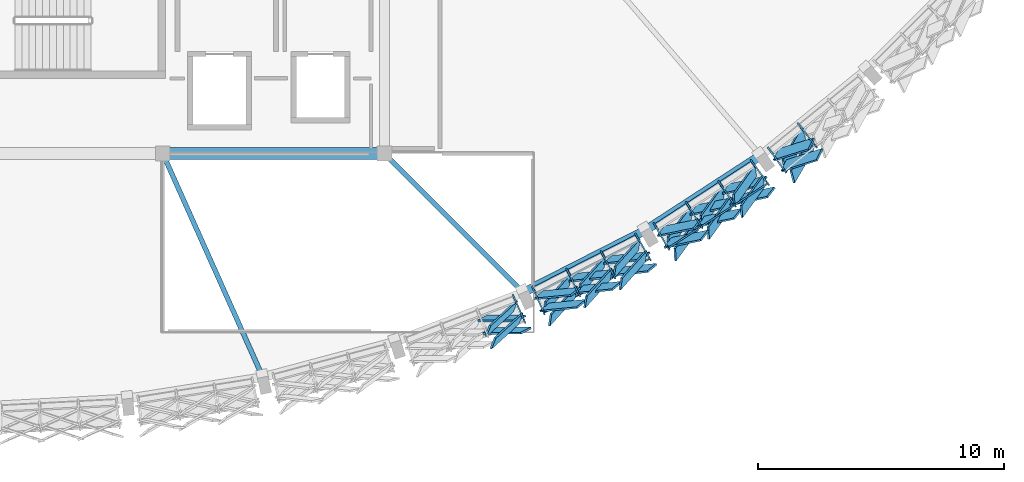
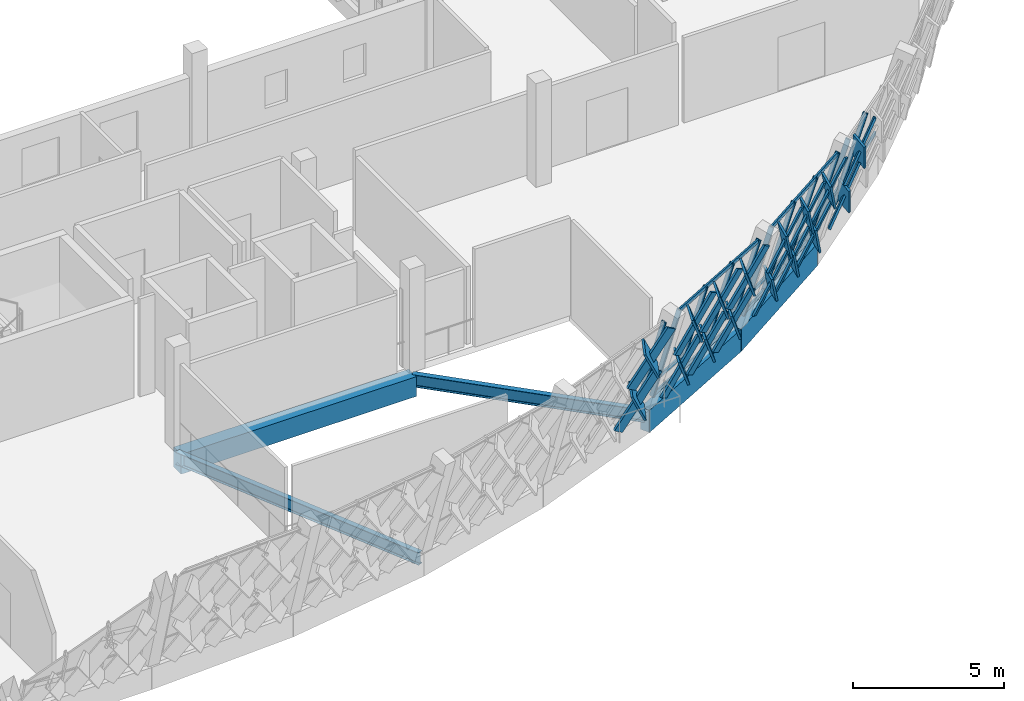
# One storey, part 48 of 107: 50 members, 5 beams, 4 elements without a shape of their own.
"""IFC4 building model written with IfcOpenShell, lengths in metres."""

import ifcopenshell
import ifcopenshell.guid

model = None  # the IFC model being written
_history = None  # IfcOwnerHistory: only IFC2X3 demands one
_inside = {}  # id of a spatial element -> (the spatial element, [elements in it])
_under = {}  # id of a project, library or spatial element -> (it, [spatial elements below it])
_declared = {}  # id of a project -> (the project, [libraries it declares])
_typed = {}  # id of a type object -> (the type object, [elements of that type])
_made_of = {}  # id of a material, layer set ... -> (it, [elements and type objects made of it])


def new_model(schema):
    """Start an empty IFC model of exactly this schema.

    Asked for "IFC4X3", IfcOpenShell would pick the latest addendum, in which some entities
    have other attributes; the version numbers below select the first issue.
    IFC2X3 requires an IfcOwnerHistory on every rooted entity: one is made here for all.
    """
    global model, _history
    if schema == "IFC4X3":
        model = ifcopenshell.file(schema_version=(4, 3, 0, 0))
    else:
        model = ifcopenshell.file(schema=schema)
    _inside.clear()
    _under.clear()
    _declared.clear()
    _typed.clear()
    _made_of.clear()
    _history = None
    if model.schema == "IFC2X3":
        org = make("IfcOrganization", Name="unknown")
        user = make(
            "IfcPersonAndOrganization",
            ThePerson=make("IfcPerson", FamilyName="unknown"),
            TheOrganization=org,
        )
        app = make(
            "IfcApplication",
            ApplicationDeveloper=org,
            Version="unknown",
            ApplicationFullName="unknown",
            ApplicationIdentifier="unknown",
        )
        _history = make(
            "IfcOwnerHistory",
            OwningUser=user,
            OwningApplication=app,
            ChangeAction="ADDED",
            CreationDate=0,
        )
    return model


def make(cls, **values):
    """One entity of the class cls with the attributes given. An attribute that is None is left unset."""
    return model.create_entity(
        cls, **{name: value for name, value in values.items() if value is not None}
    )


def rooted(cls, **values):
    """An entity with a GlobalId (a new one), such as an element, a storey or a relation."""
    return make(cls, GlobalId=ifcopenshell.guid.new(), OwnerHistory=_history, **values)


def si_unit(unit_type, name, prefix=None):
    """IfcSIUnit, for example si_unit("LENGTHUNIT", "METRE", prefix="MILLI")."""
    return make("IfcSIUnit", UnitType=unit_type, Prefix=prefix, Name=name)


def assignment(units):
    """IfcUnitAssignment: the units of a project."""
    return None if units is None else make("IfcUnitAssignment", Units=units)


def point(xyz):
    """IfcCartesianPoint."""
    return None if xyz is None else make("IfcCartesianPoint", Coordinates=xyz)


def direction(xyz):
    """IfcDirection."""
    return None if xyz is None else make("IfcDirection", DirectionRatios=xyz)


def frame(location, z_axis=None, x_axis=None):
    """IfcAxis2Placement3D, a coordinate frame: its origin and axes. An axis left out is left unset."""
    return make(
        "IfcAxis2Placement3D",
        Location=point(location),
        Axis=direction(z_axis),
        RefDirection=direction(x_axis),
    )


def frame_2d(location, x_axis=None):
    """IfcAxis2Placement2D, a coordinate frame in the plane: its origin and x axis."""
    return make(
        "IfcAxis2Placement2D", Location=point(location), RefDirection=direction(x_axis)
    )


def origin():
    """The frame at (0, 0, 0) with its axes left unset."""
    return frame((0.0, 0.0, 0.0))


def origin_2d():
    """The frame at (0, 0) in the plane with its x axis left unset."""
    return frame_2d((0.0, 0.0))


def place(relative_to, where):
    """IfcLocalPlacement: puts the frame where relative to a parent placement (None: the world)."""
    return make(
        "IfcLocalPlacement", PlacementRelTo=relative_to, RelativePlacement=where
    )


def context(
    kind, dimensions, precision=None, world=None, true_north=None, identifier=None
):
    """IfcGeometricRepresentationContext, for example the 3D "Model" context."""
    return make(
        "IfcGeometricRepresentationContext",
        ContextIdentifier=identifier,
        ContextType=kind,
        CoordinateSpaceDimension=dimensions,
        Precision=precision,
        WorldCoordinateSystem=world,
        TrueNorth=true_north,
    )


def subcontext(parent, identifier, kind, view, scale=None):
    """IfcGeometricRepresentationSubContext, for example "Body" below "Model"."""
    return make(
        "IfcGeometricRepresentationSubContext",
        ContextIdentifier=identifier,
        ContextType=kind,
        ParentContext=parent,
        TargetScale=scale,
        TargetView=view,
    )


def project(units=None, contexts=None):
    """IfcProject with its units and contexts."""
    return rooted(
        "IfcProject",
        Name="project",
        RepresentationContexts=contexts,
        UnitsInContext=assignment(units),
    )


def spatial(cls, under=None, at=None, **own):
    """A site, building, storey or space (cls), placed at a placement, below another one or the project."""
    s = rooted(cls, ObjectPlacement=at, **own)
    if under is not None:
        _under.setdefault(under.id(), (under, []))[1].append(s)
    return s


def profile(cls, at=None, kind="AREA", **sizes):
    """A parametric profile (cls). Its sizes go by their IFC names, for example OverallWidth=200.0."""
    return make(cls, ProfileType=kind, Position=at, **sizes)


def rectangle(**sizes):
    """IfcRectangleProfileDef."""
    return profile("IfcRectangleProfileDef", **sizes)


def hollow_rectangle(**sizes):
    """IfcRectangleHollowProfileDef."""
    return profile("IfcRectangleHollowProfileDef", **sizes)


def i_section(**sizes):
    """IfcIShapeProfileDef."""
    return profile("IfcIShapeProfileDef", **sizes)


def extrude(swept, where, along, depth):
    """IfcExtrudedAreaSolid: the profile swept, set in the frame where, extruded along a direction by depth."""
    return make(
        "IfcExtrudedAreaSolid",
        SweptArea=swept,
        Position=where,
        ExtrudedDirection=direction(along),
        Depth=depth,
    )


def shape(context_of_items, identifier, shape_type, items):
    """IfcShapeRepresentation: the items that make up one representation, for example the "Body"."""
    return make(
        "IfcShapeRepresentation",
        ContextOfItems=context_of_items,
        RepresentationIdentifier=identifier,
        RepresentationType=shape_type,
        Items=items,
    )


def material(Name=None, Category=None):
    """IfcMaterial."""
    return make("IfcMaterial", Name=Name, Category=Category)


def material_profile(
    of_material, cross_section, Name=None, Category=None, Priority=None
):
    """IfcMaterialProfile: a cross section and its material."""
    return make(
        "IfcMaterialProfile",
        Name=Name,
        Material=of_material,
        Profile=cross_section,
        Priority=Priority,
        Category=Category,
    )


def profile_set(profiles, Name=None, composite=None):
    """IfcMaterialProfileSet."""
    return make(
        "IfcMaterialProfileSet",
        Name=Name,
        MaterialProfiles=profiles,
        CompositeProfile=composite,
    )


def made_of(thing, what):
    """Note that an element or type object is made of a material, layer set ...; save() writes the relation."""
    if what is not None:
        _made_of.setdefault(what.id(), (what, []))[1].append(thing)
    return thing


def type_object(cls, material=None, **own):
    """A type object (cls), such as IfcWallType, which elements share."""
    return made_of(rooted(cls, **own), material)


def element(
    cls,
    number,
    at=None,
    inside=None,
    cuts=None,
    type_object=None,
    material=None,
    context=None,
    identifier="Body",
    shape_type=None,
    held_by="IfcProductDefinitionShape",
    body=None,
    shapes=None,
    **own,
):
    """One element of the class cls, such as IfcWall. Its Tag is "e" and its number.

    at: its placement. inside: the storey or other place that contains it. cuts: it is an
    opening in that element (IfcRelVoidsElement). A single representation is given by context,
    identifier, shape_type and body (its items); several are given by shapes. held_by: the class
    of the entity that holds the representations. save() writes the other relations.
    """
    e = rooted(cls, Tag="e%d" % number, ObjectPlacement=at, **own)
    if body is not None:
        shapes = [shape(context, identifier, shape_type, body)]
    if shapes is not None:
        e.Representation = make(held_by, Representations=shapes)
    if inside is not None:
        _inside.setdefault(inside.id(), (inside, []))[1].append(e)
    if cuts is not None:
        rooted(
            "IfcRelVoidsElement", RelatingBuildingElement=cuts, RelatedOpeningElement=e
        )
    if type_object is not None:
        _typed.setdefault(type_object.id(), (type_object, []))[1].append(e)
    return made_of(e, material)


def aggregate(whole, parts):
    """IfcRelAggregates: a whole, such as a stair, and the parts it consists of."""
    return rooted("IfcRelAggregates", RelatingObject=whole, RelatedObjects=parts)


def save(model, path):
    """Write the relations noted so far, then the file.

    IfcRelAggregates (storeys below a building ...), IfcRelContainedInSpatialStructure (elements
    in a storey), IfcRelDefinesByType, IfcRelAssociatesMaterial and IfcRelDeclares: one each for
    every whole, place, type object, material and project.
    """
    for whole, parts in _under.values():
        aggregate(whole, parts)
    for where, things in _inside.values():
        rooted(
            "IfcRelContainedInSpatialStructure",
            RelatedElements=things,
            RelatingStructure=where,
        )
    for kind, things in _typed.values():
        rooted("IfcRelDefinesByType", RelatedObjects=things, RelatingType=kind)
    for what, things in _made_of.values():
        rooted("IfcRelAssociatesMaterial", RelatedObjects=things, RelatingMaterial=what)
    for by, libraries in _declared.values():
        rooted("IfcRelDeclares", RelatingContext=by, RelatedDefinitions=libraries)
    model.write(path)


model = new_model("IFC4")

# Units and contexts
model_context = context("Model", 3, precision=1e-05, world=origin(), true_north=direction((0.0, 1.0)))
body_context = subcontext(model_context, "Body", "Model", "MODEL_VIEW")
ifc_project = project(units=[si_unit("LENGTHUNIT", "METRE"), si_unit("AREAUNIT", "SQUARE_METRE"), si_unit("VOLUMEUNIT", "CUBIC_METRE"), si_unit("PLANEANGLEUNIT", "RADIAN"), si_unit("MASSUNIT", "GRAM", prefix="KILO")], contexts=[model_context])

# Site, building, storey
site_placement = place(None, origin())
site = spatial("IfcSite", under=ifc_project, at=site_placement, CompositionType="ELEMENT")
building_placement = place(site_placement, origin())
building = spatial("IfcBuilding", under=site, at=building_placement, Name="Chiffa Square Polytechnic", CompositionType="ELEMENT")
storey_placement = place(building_placement, frame((0.0, 0.0, 13.800048828125)))
storey = spatial("IfcBuildingStorey", under=building, at=storey_placement, Name="L03", CompositionType="ELEMENT", Elevation=13.800048828125)

# Beams
ifc_material_1 = material(Name="Concrete C40/50", Category="concrete")
ifc_material_profile_1 = material_profile(ifc_material_1, rectangle(XDim=0.5, YDim=0.800048828125, at=origin_2d()), Name="RC 500x800")
ifc_profile_set_1 = profile_set([ifc_material_profile_1], Name="Concrete C40/50")
beam_type_1 = type_object("IfcBeamType", Name="BM-RC-500X800", PredefinedType="BEAM", material=ifc_profile_set_1)
beam_1_placement = place(storey_placement, frame((130.199951171875, 14.39990234375, -0.66015625), z_axis=(1.0, 0.0, 0.0), x_axis=(0.0, 1.0, 0.0)))
element("IfcBeam", 1, at=beam_1_placement, inside=storey, type_object=beam_type_1, Name="Primary floor girder BM-V1-L03-X-1302-0144", PredefinedType="BEAM", context=body_context, shape_type="SweptSolid", body=[
    extrude(rectangle(XDim=0.5, YDim=0.800048828125, at=origin_2d()), origin(), (0.0, 0.0, 1.0), 9.0),
])
ifc_material_2 = material(Name="Steel S355", Category="steel")
ifc_material_profile_2 = material_profile(ifc_material_2, i_section(OverallWidth=0.199951171875, OverallDepth=0.5, WebThickness=0.01025390625, FlangeThickness=0.01611328125, FilletRadius=0.02099609375, at=origin_2d()), Name="IPE 500")
ifc_profile_set_2 = profile_set([ifc_material_profile_2], Name="Steel S355")
beam_type_2 = type_object("IfcBeamType", Name="BM-STL-IPE500", PredefinedType="BEAM", material=ifc_profile_set_2)
beam_2_placement = place(storey_placement, frame((134.259033203125, 5.323974609375, -0.510009765625), z_axis=(-0.408265368718, 0.912863291356, 0.0), x_axis=(-0.912863291356, -0.408265368718, 0.0)))
element("IfcBeam", 2, at=beam_2_placement, inside=storey, type_object=beam_type_2, Name="Prow radial tie girder BM-V1-RAD-L03-05", PredefinedType="BEAM", context=body_context, shape_type="SweptSolid", body=[
    extrude(i_section(OverallWidth=0.199951171875, OverallDepth=0.5, WebThickness=0.01025390625, FlangeThickness=0.01611328125, FilletRadius=0.02099609375, at=origin_2d()), origin(), (0.0, 0.0, 1.0), 9.9423828125),
])
beam_3_placement = place(storey_placement, frame((144.833984375, 8.760009765625, -0.510009765625), z_axis=(-0.706739182536, 0.707474188836, 0.0), x_axis=(-0.707474188836, -0.706739182536, 0.0)))
element("IfcBeam", 3, at=beam_3_placement, inside=storey, type_object=beam_type_2, Name="Prow radial tie girder BM-V1-RAD-L03-07", PredefinedType="BEAM", context=body_context, shape_type="SweptSolid", body=[
    extrude(i_section(OverallWidth=0.199951171875, OverallDepth=0.5, WebThickness=0.01025390625, FlangeThickness=0.01611328125, FilletRadius=0.02099609375, at=origin_2d()), origin(), (0.0, 0.0, 1.0), 7.971923828125),
])

# Curtain wall, member
ifc_material_3 = material(Name="Aluminium EN AW-6060 T66 and glulam shading", Category="wood")
curtain_wall_type_1 = type_object("IfcCurtainWallType", Name="CW-PROW-LEAN-300", PredefinedType="USERDEFINED", material=ifc_material_3)
curtain_wall_1_placement = place(storey_placement, origin())
curtain_wall_1 = element("IfcCurtainWall", 4, at=curtain_wall_1_placement, inside=storey, type_object=curtain_wall_type_1, Name="Outward-leaning diamond-fin prow curtain wall CW-V1-L03-049", ObjectType="CURTAIN WALL", PredefinedType="USERDEFINED")
ifc_material_4 = material(Name="Aluminium EN AW-6060 T66", Category="aluminium")
ifc_material_profile_3 = material_profile(ifc_material_4, hollow_rectangle(XDim=0.06494140625, YDim=0.179931640625, WallThickness=0.00390625, at=origin_2d()), Name="ALU 65x180x4")
ifc_profile_set_3 = profile_set([ifc_material_profile_3], Name="Aluminium EN AW-6060 T66")
member_type_1 = type_object("IfcMemberType", Name="CWM-ALU-75X180", PredefinedType="MULLION", material=ifc_profile_set_3)
member_1_placement = place(storey_placement, frame((144.43310546875, 8.60595703125, 0.0), z_axis=(0.110519761215, -0.248802940707, 0.962227872739), x_axis=(0.913892402359, 0.405956496327, 0.0)))
member_1 = element("IfcMember", 5, at=member_1_placement, type_object=member_type_1, Name="Leaning prow mullion CW-V1-L03-049-M03", PredefinedType="MULLION", context=body_context, shape_type="SweptSolid", body=[
    extrude(hollow_rectangle(XDim=0.06494140625, YDim=0.179931640625, WallThickness=0.00390625, at=origin_2d()), origin(), (0.0, 0.0, 1.0), 4.115478515625),
])

# Curtain wall, members
curtain_wall_type_2 = type_object("IfcCurtainWallType", Name="CW-PROW-LEAN-150", PredefinedType="USERDEFINED", material=ifc_material_3)
curtain_wall_2_placement = place(storey_placement, origin())
curtain_wall_2 = element("IfcCurtainWall", 6, at=curtain_wall_2_placement, inside=storey, type_object=curtain_wall_type_2, Name="Outward-leaning diamond-fin prow curtain wall CW-V1-L03-050", ObjectType="CURTAIN WALL", PredefinedType="USERDEFINED")
member_2_placement = place(storey_placement, frame((145.217041015625, 8.955078125, 0.0), z_axis=(0.110576727308, -0.248856958723, 0.962207358875), x_axis=(0.913847477756, 0.406057615861, 0.0)))
member_2 = element("IfcMember", 7, at=member_2_placement, type_object=member_type_1, Name="Leaning prow mullion CW-V1-L03-050-M00", PredefinedType="MULLION", context=body_context, shape_type="SweptSolid", body=[
    extrude(hollow_rectangle(XDim=0.06494140625, YDim=0.179931640625, WallThickness=0.00390625, at=origin_2d()), origin(), (0.0, 0.0, 1.0), 4.115478515625),
])
member_3_placement = place(storey_placement, frame((146.614990234375, 9.667236328125, 0.0), z_axis=(0.119132983258, -0.244436200708, 0.962319217351), x_axis=(0.898919370445, 0.438114100935, 0.0)))
member_3 = element("IfcMember", 8, at=member_3_placement, type_object=member_type_1, Name="Leaning prow mullion CW-V1-L03-050-M01", PredefinedType="MULLION", context=body_context, shape_type="SweptSolid", body=[
    extrude(hollow_rectangle(XDim=0.06494140625, YDim=0.179931640625, WallThickness=0.00390625, at=origin_2d()), origin(), (0.0, 0.0, 1.0), 4.114990234375),
])
member_4_placement = place(storey_placement, frame((148.012939453125, 10.379638671875, 0.0), z_axis=(0.127792465112, -0.240100327904, 0.962299806921), x_axis=(0.882751136571, 0.469840856974, 0.0)))
member_4 = element("IfcMember", 9, at=member_4_placement, type_object=member_type_1, Name="Leaning prow mullion CW-V1-L03-050-M02", PredefinedType="MULLION", context=body_context, shape_type="SweptSolid", body=[
    extrude(hollow_rectangle(XDim=0.06494140625, YDim=0.179931640625, WallThickness=0.00390625, at=origin_2d()), origin(), (0.0, 0.0, 1.0), 4.114990234375),
])
member_5_placement = place(storey_placement, frame((149.410888671875, 11.092041015625, 0.0), z_axis=(0.136324272453, -0.235690310904, 0.96221919025), x_axis=(0.865630079127, 0.500684098121, 0.0)))
member_5 = element("IfcMember", 10, at=member_5_placement, type_object=member_type_1, Name="Leaning prow mullion CW-V1-L03-050-M03", PredefinedType="MULLION", context=body_context, shape_type="SweptSolid", body=[
    extrude(hollow_rectangle(XDim=0.06494140625, YDim=0.179931640625, WallThickness=0.00390625, at=origin_2d()), origin(), (0.0, 0.0, 1.0), 4.115478515625),
])

curtain_wall_3_placement = place(storey_placement, origin())
curtain_wall_3 = element("IfcCurtainWall", 11, at=curtain_wall_3_placement, inside=storey, type_object=curtain_wall_type_1, Name="Outward-leaning diamond-fin prow curtain wall CW-V1-L03-051", ObjectType="CURTAIN WALL", PredefinedType="USERDEFINED")
member_6_placement = place(storey_placement, frame((150.155029296875, 11.52099609375, 0.0), z_axis=(0.136324272453, -0.235690310904, 0.96221919025), x_axis=(0.865630079127, 0.500684098121, 0.0)))
member_6 = element("IfcMember", 12, at=member_6_placement, type_object=member_type_1, Name="Leaning prow mullion CW-V1-L03-051-M00", PredefinedType="MULLION", context=body_context, shape_type="SweptSolid", body=[
    extrude(hollow_rectangle(XDim=0.06494140625, YDim=0.179931640625, WallThickness=0.00390625, at=origin_2d()), origin(), (0.0, 0.0, 1.0), 4.115478515625),
])
member_7_placement = place(storey_placement, frame((151.470703125, 12.3759765625, 0.0), z_axis=(0.144226161518, -0.23060760585, 0.962298782322), x_axis=(0.84783896335, 0.530253799821, 0.0)))
member_7 = element("IfcMember", 13, at=member_7_placement, type_object=member_type_1, Name="Leaning prow mullion CW-V1-L03-051-M01", PredefinedType="MULLION", context=body_context, shape_type="SweptSolid", body=[
    extrude(hollow_rectangle(XDim=0.06494140625, YDim=0.179931640625, WallThickness=0.00390625, at=origin_2d()), origin(), (0.0, 0.0, 1.0), 4.114990234375),
])
member_8_placement = place(storey_placement, frame((152.786376953125, 13.23095703125, 0.0), z_axis=(0.152173880393, -0.225502112817, 0.962284732936), x_axis=(0.828916928676, 0.559371723771, 0.0)))
member_8 = element("IfcMember", 14, at=member_8_placement, type_object=member_type_1, Name="Leaning prow mullion CW-V1-L03-051-M02", PredefinedType="MULLION", context=body_context, shape_type="SweptSolid", body=[
    extrude(hollow_rectangle(XDim=0.06494140625, YDim=0.179931640625, WallThickness=0.00390625, at=origin_2d()), origin(), (0.0, 0.0, 1.0), 4.115234375),
])
member_9_placement = place(storey_placement, frame((154.10205078125, 14.0859375, 0.0), z_axis=(0.160107081711, -0.2203771058, 0.9621848334), x_axis=(0.809027918662, 0.587770216008, 0.0)))
member_9 = element("IfcMember", 15, at=member_9_placement, type_object=member_type_1, Name="Leaning prow mullion CW-V1-L03-051-M03", PredefinedType="MULLION", context=body_context, shape_type="SweptSolid", body=[
    extrude(hollow_rectangle(XDim=0.06494140625, YDim=0.179931640625, WallThickness=0.00390625, at=origin_2d()), origin(), (0.0, 0.0, 1.0), 4.115478515625),
])

curtain_wall_4_placement = place(storey_placement, origin())
curtain_wall_4 = element("IfcCurtainWall", 16, at=curtain_wall_4_placement, inside=storey, type_object=curtain_wall_type_2, Name="Outward-leaning diamond-fin prow curtain wall CW-V1-L03-052", ObjectType="CURTAIN WALL", PredefinedType="USERDEFINED")
member_10_placement = place(storey_placement, frame((154.797119140625, 14.591064453125, 0.0), z_axis=(0.160107081711, -0.2203771058, 0.9621848334), x_axis=(0.809027918662, 0.587770216008, 0.0)))
member_10 = element("IfcMember", 17, at=member_10_placement, type_object=member_type_1, Name="Leaning prow mullion CW-V1-L03-052-M00", PredefinedType="MULLION", context=body_context, shape_type="SweptSolid", body=[
    extrude(hollow_rectangle(XDim=0.06494140625, YDim=0.179931640625, WallThickness=0.00390625, at=origin_2d()), origin(), (0.0, 0.0, 1.0), 4.115478515625),
])
member_11_placement = place(storey_placement, frame((156.0166015625, 15.577880859375, 0.0), z_axis=(0.167541150521, -0.214291301588, 0.962293718646), x_axis=(0.787799469449, 0.615931811109, 0.0)))
member_11 = element("IfcMember", 18, at=member_11_placement, type_object=member_type_1, Name="Leaning prow mullion CW-V1-L03-052-M01", PredefinedType="MULLION", context=body_context, shape_type="SweptSolid", body=[
    extrude(hollow_rectangle(XDim=0.06494140625, YDim=0.179931640625, WallThickness=0.00390625, at=origin_2d()), origin(), (0.0, 0.0, 1.0), 4.115234375),
])

# Member
ifc_material_5 = material(Name="Glulam GL28h", Category="wood")
ifc_material_profile_4 = material_profile(ifc_material_5, rectangle(XDim=0.080078125, YDim=0.580078125, at=origin_2d()), Name="GL28h 80x580")
ifc_profile_set_4 = profile_set([ifc_material_profile_4], Name="Glulam GL28h")
member_type_2 = type_object("IfcMemberType", Name="CWM-GL-80X580", PredefinedType="MULLION", material=ifc_profile_set_4)
member_12_placement = place(storey_placement, frame((143.18701171875, 7.714111328125, 0.0400390625), z_axis=(0.618232038609, -0.000494585631, 0.785995484607), x_axis=(-0.280928635932, 0.933805468152, 0.221554618917)))
member_12 = element("IfcMember", 19, at=member_12_placement, type_object=member_type_2, Name="Diamond glulam fin CW-V1-L03-049-DF05A", PredefinedType="MULLION", context=body_context, shape_type="SweptSolid", body=[
    extrude(rectangle(XDim=0.080078125, YDim=0.580078125, at=origin_2d()), origin(), (0.0, 0.0, 1.0), 2.468017578125),
])

member_13_placement = place(storey_placement, frame((144.490966796875, 8.215087890625, 0.0400390625), z_axis=(-0.448705840374, -0.412386310489, 0.792843363935), x_axis=(0.840933713382, -0.495108635363, 0.218398555138)))
member_13 = element("IfcMember", 20, at=member_13_placement, type_object=member_type_2, Name="Diamond glulam fin CW-V1-L03-049-DF05B", PredefinedType="MULLION", context=body_context, shape_type="SweptSolid", body=[
    extrude(rectangle(XDim=0.080078125, YDim=0.580078125, at=origin_2d()), origin(), (0.0, 0.0, 1.0), 2.44677734375),
])

member_14_placement = place(storey_placement, frame((143.39306640625, 7.2060546875, 1.97998046875), z_axis=(0.62223982164, 0.001970360423, 0.782824196129), x_axis=(-0.283493920188, 0.932687406218, 0.22299192698)))
member_14 = element("IfcMember", 21, at=member_14_placement, type_object=member_type_2, Name="Diamond glulam fin CW-V1-L03-049-DF06A", PredefinedType="MULLION", context=body_context, shape_type="SweptSolid", body=[
    extrude(rectangle(XDim=0.080078125, YDim=0.580078125, at=origin_2d()), origin(), (0.0, 0.0, 1.0), 2.47802734375),
])

member_15_placement = place(storey_placement, frame((144.712890625, 7.712890625, 1.97998046875), z_axis=(-0.453416833973, -0.413163914692, 0.789752337297), x_axis=(0.837996423117, -0.499435499385, 0.219832155967)))
member_15 = element("IfcMember", 22, at=member_15_placement, type_object=member_type_2, Name="Diamond glulam fin CW-V1-L03-049-DF06B", PredefinedType="MULLION", context=body_context, shape_type="SweptSolid", body=[
    extrude(rectangle(XDim=0.080078125, YDim=0.580078125, at=origin_2d()), origin(), (0.0, 0.0, 1.0), 2.456298828125),
])

aggregate(curtain_wall_1, [member_1, member_12, member_13, member_14, member_15])

member_16_placement = place(storey_placement, frame((145.468994140625, 8.64990234375, 0.0400390625), z_axis=(0.606542473217, 0.057680412886, 0.792955987526), x_axis=(-0.442729201414, 0.852924093708, 0.276606841182)))
member_16 = element("IfcMember", 23, at=member_16_placement, type_object=member_type_2, Name="Diamond glulam fin CW-V1-L03-050-DF01A", PredefinedType="MULLION", context=body_context, shape_type="SweptSolid", body=[
    extrude(rectangle(XDim=0.080078125, YDim=0.580078125, at=origin_2d()), origin(), (0.0, 0.0, 1.0), 2.446533203125),
])

member_17_placement = place(storey_placement, frame((146.712890625, 9.283935546875, 0.0400390625), z_axis=(-0.413180868765, -0.459870208017, 0.786003156142), x_axis=(0.901270968893, -0.330055450657, 0.280667134025)))
member_17 = element("IfcMember", 24, at=member_17_placement, type_object=member_type_2, Name="Diamond glulam fin CW-V1-L03-050-DF01B", PredefinedType="MULLION", context=body_context, shape_type="SweptSolid", body=[
    extrude(rectangle(XDim=0.080078125, YDim=0.580078125, at=origin_2d()), origin(), (0.0, 0.0, 1.0), 2.468017578125),
])

member_18_placement = place(storey_placement, frame((145.693115234375, 8.14892578125, 1.97998046875), z_axis=(0.610265445231, 0.060340629623, 0.789895622708), x_axis=(-0.444536589563, 0.851397363471, 0.278405729134)))
member_18 = element("IfcMember", 25, at=member_18_placement, type_object=member_type_2, Name="Diamond glulam fin CW-V1-L03-050-DF02A", PredefinedType="MULLION", context=body_context, shape_type="SweptSolid", body=[
    extrude(rectangle(XDim=0.080078125, YDim=0.580078125, at=origin_2d()), origin(), (0.0, 0.0, 1.0), 2.4560546875),
])

member_19_placement = place(storey_placement, frame((146.952880859375, 8.791015625, 1.97998046875), z_axis=(-0.41819634524, -0.461424081421, 0.782431871739), x_axis=(0.898746808651, -0.335150203501, 0.282716315471)))
member_19 = element("IfcMember", 26, at=member_19_placement, type_object=member_type_2, Name="Diamond glulam fin CW-V1-L03-050-DF02B", PredefinedType="MULLION", context=body_context, shape_type="SweptSolid", body=[
    extrude(rectangle(XDim=0.080078125, YDim=0.580078125, at=origin_2d()), origin(), (0.0, 0.0, 1.0), 2.4794921875),
])

member_20_placement = place(storey_placement, frame((146.866943359375, 9.362060546875, 0.0400390625), z_axis=(0.61080069439, 0.061000589843, 0.789431086145), x_axis=(-0.445164399821, 0.850980431862, 0.278677163974)))
member_20 = element("IfcMember", 27, at=member_20_placement, type_object=member_type_2, Name="Diamond glulam fin CW-V1-L03-050-DF03A", PredefinedType="MULLION", context=body_context, shape_type="SweptSolid", body=[
    extrude(rectangle(XDim=0.080078125, YDim=0.580078125, at=origin_2d()), origin(), (0.0, 0.0, 1.0), 2.457275390625),
])

member_21_placement = place(storey_placement, frame((148.112060546875, 9.99609375, 0.0400390625), z_axis=(-0.408599442254, -0.458171803471, 0.789382729918), x_axis=(0.903507939138, -0.325571354434, 0.278705394793)))
member_21 = element("IfcMember", 28, at=member_21_placement, type_object=member_type_2, Name="Diamond glulam fin CW-V1-L03-050-DF03B", PredefinedType="MULLION", context=body_context, shape_type="SweptSolid", body=[
    extrude(rectangle(XDim=0.080078125, YDim=0.580078125, at=origin_2d()), origin(), (0.0, 0.0, 1.0), 2.45751953125),
])

member_22_placement = place(storey_placement, frame((147.10791015625, 8.8701171875, 1.97998046875), z_axis=(0.614777141949, 0.063614692995, 0.786131182801), x_axis=(-0.44670874736, 0.849540310518, 0.280593221297)))
member_22 = element("IfcMember", 29, at=member_22_placement, type_object=member_type_2, Name="Diamond glulam fin CW-V1-L03-050-DF04A", PredefinedType="MULLION", context=body_context, shape_type="SweptSolid", body=[
    extrude(rectangle(XDim=0.080078125, YDim=0.580078125, at=origin_2d()), origin(), (0.0, 0.0, 1.0), 2.4677734375),
])

member_23_placement = place(storey_placement, frame((148.367919921875, 9.511962890625, 1.97998046875), z_axis=(-0.412927799057, -0.459633267821, 0.786274692381), x_axis=(0.901369320283, -0.329920144636, 0.280510332458)))
member_23 = element("IfcMember", 30, at=member_23_placement, type_object=member_type_2, Name="Diamond glulam fin CW-V1-L03-050-DF04B", PredefinedType="MULLION", context=body_context, shape_type="SweptSolid", body=[
    extrude(rectangle(XDim=0.080078125, YDim=0.580078125, at=origin_2d()), origin(), (0.0, 0.0, 1.0), 2.46728515625),
])

member_24_placement = place(storey_placement, frame((148.264892578125, 10.074951171875, 0.0400390625), z_axis=(0.615253596501, 0.063977672282, 0.785728877821), x_axis=(-0.446955541705, 0.849333769711, 0.280825375219)))
member_24 = element("IfcMember", 31, at=member_24_placement, type_object=member_type_2, Name="Diamond glulam fin CW-V1-L03-050-DF05A", PredefinedType="MULLION", context=body_context, shape_type="SweptSolid", body=[
    extrude(rectangle(XDim=0.080078125, YDim=0.580078125, at=origin_2d()), origin(), (0.0, 0.0, 1.0), 2.468994140625),
])

member_25_placement = place(storey_placement, frame((149.510009765625, 10.708984375, 0.0400390625), z_axis=(-0.403055118687, -0.456942161046, 0.792937849241), x_axis=(0.906335891788, -0.319433839641, 0.276617557918)))
member_25 = element("IfcMember", 32, at=member_25_placement, type_object=member_type_2, Name="Diamond glulam fin CW-V1-L03-050-DF05B", PredefinedType="MULLION", context=body_context, shape_type="SweptSolid", body=[
    extrude(rectangle(XDim=0.080078125, YDim=0.580078125, at=origin_2d()), origin(), (0.0, 0.0, 1.0), 2.446533203125),
])

member_26_placement = place(storey_placement, frame((148.52392578125, 9.591064453125, 1.97998046875), z_axis=(0.618910663664, 0.066973146291, 0.782600912393), x_axis=(-0.449088688012, 0.847611563058, 0.282619865667)))
member_26 = element("IfcMember", 33, at=member_26_placement, type_object=member_type_2, Name="Diamond glulam fin CW-V1-L03-050-DF06A", PredefinedType="MULLION", context=body_context, shape_type="SweptSolid", body=[
    extrude(rectangle(XDim=0.080078125, YDim=0.580078125, at=origin_2d()), origin(), (0.0, 0.0, 1.0), 2.478759765625),
])

member_27_placement = place(storey_placement, frame((149.783935546875, 10.23291015625, 1.97998046875), z_axis=(-0.407928513489, -0.458024997602, 0.789814807062), x_axis=(0.903852136139, -0.324831114917, 0.27845298127)))
member_27 = element("IfcMember", 34, at=member_27_placement, type_object=member_type_2, Name="Diamond glulam fin CW-V1-L03-050-DF06B", PredefinedType="MULLION", context=body_context, shape_type="SweptSolid", body=[
    extrude(rectangle(XDim=0.080078125, YDim=0.580078125, at=origin_2d()), origin(), (0.0, 0.0, 1.0), 2.456298828125),
])

member_28_placement = place(storey_placement, frame((150.43701171875, 11.243896484375, 0.0400390625), z_axis=(0.597437184077, 0.120624842276, 0.792791560568), x_axis=(-0.589226032268, 0.736627103579, 0.33195360093)))
member_28 = element("IfcMember", 35, at=member_28_placement, type_object=member_type_2, Name="Diamond glulam fin CW-V1-L03-051-DF01A", PredefinedType="MULLION", context=body_context, shape_type="SweptSolid", body=[
    extrude(rectangle(XDim=0.080078125, YDim=0.580078125, at=origin_2d()), origin(), (0.0, 0.0, 1.0), 2.447021484375),
])

member_29_placement = place(storey_placement, frame((151.60888671875, 12.0048828125, 0.0400390625), z_axis=(-0.36297219509, -0.50064448271, 0.785879308497), x_axis=(0.930229688487, -0.145748543359, 0.336793837184)))
member_29 = element("IfcMember", 36, at=member_29_placement, type_object=member_type_2, Name="Diamond glulam fin CW-V1-L03-051-DF01B", PredefinedType="MULLION", context=body_context, shape_type="SweptSolid", body=[
    extrude(rectangle(XDim=0.080078125, YDim=0.580078125, at=origin_2d()), origin(), (0.0, 0.0, 1.0), 2.468505859375),
])

member_30_placement = place(storey_placement, frame((150.712890625, 10.76904296875, 1.97998046875), z_axis=(0.600847311464, 0.124124758852, 0.789668001471), x_axis=(-0.590862735874, 0.73431724186, 0.334154778003)))
member_30 = element("IfcMember", 37, at=member_30_placement, type_object=member_type_2, Name="Diamond glulam fin CW-V1-L03-051-DF02A", PredefinedType="MULLION", context=body_context, shape_type="SweptSolid", body=[
    extrude(rectangle(XDim=0.080078125, YDim=0.580078125, at=origin_2d()), origin(), (0.0, 0.0, 1.0), 2.45654296875),
])

member_31_placement = place(storey_placement, frame((151.89892578125, 11.5390625, 1.97998046875), z_axis=(-0.367234609005, -0.502127063989, 0.782947733606), x_axis=(0.928674522147, -0.150894977791, 0.338813130785)))
member_31 = element("IfcMember", 38, at=member_31_placement, type_object=member_type_2, Name="Diamond glulam fin CW-V1-L03-051-DF02B", PredefinedType="MULLION", context=body_context, shape_type="SweptSolid", body=[
    extrude(rectangle(XDim=0.080078125, YDim=0.580078125, at=origin_2d()), origin(), (0.0, 0.0, 1.0), 2.477783203125),
])

member_32_placement = place(storey_placement, frame((151.7529296875, 12.09912109375, 0.0400390625), z_axis=(0.601325271885, 0.124456651086, 0.789251835216), x_axis=(-0.590913783474, 0.734143426173, 0.334446304072)))
member_32 = element("IfcMember", 39, at=member_32_placement, type_object=member_type_2, Name="Diamond glulam fin CW-V1-L03-051-DF03A", PredefinedType="MULLION", context=body_context, shape_type="SweptSolid", body=[
    extrude(rectangle(XDim=0.080078125, YDim=0.580078125, at=origin_2d()), origin(), (0.0, 0.0, 1.0), 2.4580078125),
])

member_33_placement = place(storey_placement, frame((152.925048828125, 12.860107421875, 0.0400390625), z_axis=(-0.358152367809, -0.498532200184, 0.789425440946), x_axis=(0.931979929788, -0.140144130248, 0.334324742173)))
member_33 = element("IfcMember", 40, at=member_33_placement, type_object=member_type_2, Name="Diamond glulam fin CW-V1-L03-051-DF03B", PredefinedType="MULLION", context=body_context, shape_type="SweptSolid", body=[
    extrude(rectangle(XDim=0.080078125, YDim=0.580078125, at=origin_2d()), origin(), (0.0, 0.0, 1.0), 2.45751953125),
])

member_34_placement = place(storey_placement, frame((152.044921875, 11.635009765625, 1.97998046875), z_axis=(0.604705388623, 0.127629245963, 0.78615658017), x_axis=(-0.592136464512, 0.732170482025, 0.33660183102)))
member_34 = element("IfcMember", 41, at=member_34_placement, type_object=member_type_2, Name="Diamond glulam fin CW-V1-L03-051-DF04A", PredefinedType="MULLION", context=body_context, shape_type="SweptSolid", body=[
    extrude(rectangle(XDim=0.080078125, YDim=0.580078125, at=origin_2d()), origin(), (0.0, 0.0, 1.0), 2.467529296875),
])

member_35_placement = place(storey_placement, frame((153.23095703125, 12.405029296875, 1.97998046875), z_axis=(-0.362338764028, -0.500565758388, 0.78622168732), x_axis=(0.93044882108, -0.144895016474, 0.336556719665)))
member_35 = element("IfcMember", 42, at=member_35_placement, type_object=member_type_2, Name="Diamond glulam fin CW-V1-L03-051-DF04B", PredefinedType="MULLION", context=body_context, shape_type="SweptSolid", body=[
    extrude(rectangle(XDim=0.080078125, YDim=0.580078125, at=origin_2d()), origin(), (0.0, 0.0, 1.0), 2.467529296875),
])

member_36_placement = place(storey_placement, frame((153.069091796875, 12.9541015625, 0.0400390625), z_axis=(0.605113841618, 0.127964914374, 0.785787642669), x_axis=(-0.592228771594, 0.73197831809, 0.33685727533)))
member_36 = element("IfcMember", 43, at=member_36_placement, type_object=member_type_2, Name="Diamond glulam fin CW-V1-L03-051-DF05A", PredefinedType="MULLION", context=body_context, shape_type="SweptSolid", body=[
    extrude(rectangle(XDim=0.080078125, YDim=0.580078125, at=origin_2d()), origin(), (0.0, 0.0, 1.0), 2.46875),
])

member_37_placement = place(storey_placement, frame((154.240966796875, 13.715087890625, 0.0400390625), z_axis=(-0.353134587487, -0.496623577824, 0.792881444523), x_axis=(0.933740805594, -0.13407905389, 0.331889914395)))
member_37 = element("IfcMember", 44, at=member_37_placement, type_object=member_type_2, Name="Diamond glulam fin CW-V1-L03-051-DF05B", PredefinedType="MULLION", context=body_context, shape_type="SweptSolid", body=[
    extrude(rectangle(XDim=0.080078125, YDim=0.580078125, at=origin_2d()), origin(), (0.0, 0.0, 1.0), 2.44677734375),
])

member_38_placement = place(storey_placement, frame((153.376953125, 12.5, 1.97998046875), z_axis=(0.60841208619, 0.13149265583, 0.782652167211), x_axis=(-0.593809958423, 0.729697288417, 0.339015634677)))
member_38 = element("IfcMember", 45, at=member_38_placement, type_object=member_type_2, Name="Diamond glulam fin CW-V1-L03-051-DF06A", PredefinedType="MULLION", context=body_context, shape_type="SweptSolid", body=[
    extrude(rectangle(XDim=0.080078125, YDim=0.580078125, at=origin_2d()), origin(), (0.0, 0.0, 1.0), 2.478759765625),
])

member_39_placement = place(storey_placement, frame((154.56298828125, 13.27001953125, 1.97998046875), z_axis=(-0.357443387196, -0.498392976474, 0.789834581385), x_axis=(0.932222502849, -0.139211484047, 0.334037973727)))
member_39 = element("IfcMember", 46, at=member_39_placement, type_object=member_type_2, Name="Diamond glulam fin CW-V1-L03-051-DF06B", PredefinedType="MULLION", context=body_context, shape_type="SweptSolid", body=[
    extrude(rectangle(XDim=0.080078125, YDim=0.580078125, at=origin_2d()), origin(), (0.0, 0.0, 1.0), 2.4560546875),
])

member_40_placement = place(storey_placement, frame((155.10693359375, 14.344970703125, 0.0400390625), z_axis=(0.581359126638, 0.181942950706, 0.793043711634), x_axis=(-0.708412836328, 0.592609927758, 0.38335978773)))
member_40 = element("IfcMember", 47, at=member_40_placement, type_object=member_type_2, Name="Diamond glulam fin CW-V1-L03-052-DF01A", PredefinedType="MULLION", context=body_context, shape_type="SweptSolid", body=[
    extrude(rectangle(XDim=0.080078125, YDim=0.580078125, at=origin_2d()), origin(), (0.0, 0.0, 1.0), 2.4462890625),
])

member_41_placement = place(storey_placement, frame((156.19189453125, 15.222900390625, 0.0400390625), z_axis=(-0.308719835771, -0.535635344665, 0.785994173354), x_axis=(0.92031945879, 0.040482170927, 0.389067201919)))
member_41 = element("IfcMember", 48, at=member_41_placement, type_object=member_type_2, Name="Diamond glulam fin CW-V1-L03-052-DF01B", PredefinedType="MULLION", context=body_context, shape_type="SweptSolid", body=[
    extrude(rectangle(XDim=0.080078125, YDim=0.580078125, at=origin_2d()), origin(), (0.0, 0.0, 1.0), 2.468017578125),
])

member_42_placement = place(storey_placement, frame((155.429931640625, 13.90087890625, 1.97998046875), z_axis=(0.584583195092, 0.186048918941, 0.789714054438), x_axis=(-0.709262951508, 0.589825541937, 0.386072396963)))
member_42 = element("IfcMember", 49, at=member_42_placement, type_object=member_type_2, Name="Diamond glulam fin CW-V1-L03-052-DF02A", PredefinedType="MULLION", context=body_context, shape_type="SweptSolid", body=[
    extrude(rectangle(XDim=0.080078125, YDim=0.580078125, at=origin_2d()), origin(), (0.0, 0.0, 1.0), 2.45654296875),
])

member_43_placement = place(storey_placement, frame((156.529052734375, 14.7900390625, 1.97998046875), z_axis=(-0.312794764237, -0.537908476451, 0.782824313897), x_axis=(0.919465686945, 0.035214506012, 0.391590077885)))
member_43 = element("IfcMember", 50, at=member_43_placement, type_object=member_type_2, Name="Diamond glulam fin CW-V1-L03-052-DF02B", PredefinedType="MULLION", context=body_context, shape_type="SweptSolid", body=[
    extrude(rectangle(XDim=0.080078125, YDim=0.580078125, at=origin_2d()), origin(), (0.0, 0.0, 1.0), 2.47802734375),
])

ifc_material_profile_5 = material_profile(ifc_material_4, hollow_rectangle(XDim=0.06494140625, YDim=0.139892578125, WallThickness=0.00390625, at=origin_2d()), Name="ALU 65x140x4")
ifc_profile_set_5 = profile_set([ifc_material_profile_5], Name="Aluminium EN AW-6060 T66")
member_type_3 = type_object("IfcMemberType", Name="CWT-ALU-75X140", PredefinedType="USERDEFINED", material=ifc_profile_set_5)
member_44_placement = place(storey_placement, frame((145.2216796875, 8.944580078125, 0.0400390625), z_axis=(0.890989235953, 0.454024428214, 0.0), x_axis=(-0.454024428214, 0.890989235953, 0.0)))
member_44 = element("IfcMember", 51, at=member_44_placement, type_object=member_type_3, Name="Leaning prow transom CW-V1-L03-050-T01", ObjectType="TRANSOM", PredefinedType="USERDEFINED", context=body_context, shape_type="SweptSolid", body=[
    extrude(hollow_rectangle(XDim=0.06494140625, YDim=0.139892578125, WallThickness=0.00390625, at=origin_2d()), origin(), (0.0, 0.0, 1.0), 4.708251953125),
])

member_45_placement = place(storey_placement, frame((145.314697265625, 8.735107421875, 0.849853515625), z_axis=(0.890996582154, 0.454010011553, 0.0), x_axis=(-0.454010011553, 0.890996582154, 0.0)))
member_45 = element("IfcMember", 52, at=member_45_placement, type_object=member_type_3, Name="Leaning prow transom CW-V1-L03-050-T02", ObjectType="TRANSOM", PredefinedType="USERDEFINED", context=body_context, shape_type="SweptSolid", body=[
    extrude(hollow_rectangle(XDim=0.06494140625, YDim=0.139892578125, WallThickness=0.00390625, at=origin_2d()), origin(), (0.0, 0.0, 1.0), 4.732666015625),
])

member_46_placement = place(storey_placement, frame((145.66748046875, 7.94140625, 3.919921875), z_axis=(0.891000877035, 0.454001582733, 0.0), x_axis=(-0.454001582733, 0.891000877035, 0.0)))
member_46 = element("IfcMember", 53, at=member_46_placement, type_object=member_type_3, Name="Leaning prow transom CW-V1-L03-050-T03", ObjectType="TRANSOM", PredefinedType="USERDEFINED", context=body_context, shape_type="SweptSolid", body=[
    extrude(hollow_rectangle(XDim=0.06494140625, YDim=0.139892578125, WallThickness=0.00390625, at=origin_2d()), origin(), (0.0, 0.0, 1.0), 4.82470703125),
])

aggregate(curtain_wall_2, [member_2, member_3, member_4, member_5, member_44, member_45, member_46, member_16, member_17, member_18, member_19, member_20, member_21, member_22, member_23, member_24, member_25, member_26, member_27])

member_47_placement = place(storey_placement, frame((150.16064453125, 11.51123046875, 0.0400390625), z_axis=(0.838494553104, 0.544909978268, 0.0), x_axis=(-0.544909978268, 0.838494553104, 0.0)))
member_47 = element("IfcMember", 54, at=member_47_placement, type_object=member_type_3, Name="Leaning prow transom CW-V1-L03-051-T01", ObjectType="TRANSOM", PredefinedType="USERDEFINED", context=body_context, shape_type="SweptSolid", body=[
    extrude(hollow_rectangle(XDim=0.06494140625, YDim=0.139892578125, WallThickness=0.00390625, at=origin_2d()), origin(), (0.0, 0.0, 1.0), 4.70849609375),
])

member_48_placement = place(storey_placement, frame((150.275390625, 11.312744140625, 0.849853515625), z_axis=(0.838501367632, 0.544899492089, 0.0), x_axis=(-0.544899492089, 0.838501367632, 0.0)))
member_48 = element("IfcMember", 55, at=member_48_placement, type_object=member_type_3, Name="Leaning prow transom CW-V1-L03-051-T02", ObjectType="TRANSOM", PredefinedType="USERDEFINED", context=body_context, shape_type="SweptSolid", body=[
    extrude(hollow_rectangle(XDim=0.06494140625, YDim=0.139892578125, WallThickness=0.00390625, at=origin_2d()), origin(), (0.0, 0.0, 1.0), 4.732177734375),
])

member_49_placement = place(storey_placement, frame((150.710205078125, 10.560791015625, 3.919921875), z_axis=(0.838565036585, 0.544801504602, 0.0), x_axis=(-0.544801504602, 0.838565036585, 0.0)))
member_49 = element("IfcMember", 56, at=member_49_placement, type_object=member_type_3, Name="Leaning prow transom CW-V1-L03-051-T03", ObjectType="TRANSOM", PredefinedType="USERDEFINED", context=body_context, shape_type="SweptSolid", body=[
    extrude(hollow_rectangle(XDim=0.06494140625, YDim=0.139892578125, WallThickness=0.00390625, at=origin_2d()), origin(), (0.0, 0.0, 1.0), 4.82275390625),
])

aggregate(curtain_wall_3, [member_6, member_7, member_8, member_9, member_47, member_48, member_49, member_28, member_29, member_30, member_31, member_32, member_33, member_34, member_35, member_36, member_37, member_38, member_39])

member_50_placement = place(storey_placement, frame((154.9384765625, 14.396240234375, 0.849853515625), z_axis=(0.777322958084, 0.62910175555, 0.0), x_axis=(-0.62910175555, 0.777322958084, 0.0)))
member_50 = element("IfcMember", 57, at=member_50_placement, type_object=member_type_3, Name="Leaning prow transom CW-V1-L03-052-T02", ObjectType="TRANSOM", PredefinedType="USERDEFINED", context=body_context, shape_type="SweptSolid", body=[
    extrude(hollow_rectangle(XDim=0.06494140625, YDim=0.139892578125, WallThickness=0.00390625, at=origin_2d()), origin(), (0.0, 0.0, 1.0), 4.732177734375),
])

aggregate(curtain_wall_4, [member_10, member_11, member_50, member_40, member_41, member_42, member_43])

# Beams
ifc_material_6 = material(Name="Glulam GL32c", Category="wood")
ifc_material_profile_6 = material_profile(ifc_material_6, rectangle(XDim=0.360107421875, YDim=0.89990234375, at=origin_2d()), Name="GL32c 360x900")
ifc_profile_set_6 = profile_set([ifc_material_profile_6], Name="Glulam GL32c")
beam_type_3 = type_object("IfcBeamType", Name="RB-GL-360X900", PredefinedType="SPANDREL", material=ifc_profile_set_6)
beam_4_placement = place(storey_placement, frame((144.833984375, 8.760009765625, -0.7099609375), z_axis=(0.891015732081, 0.45397242778, 0.0), x_axis=(-0.45397242778, 0.891015732081, 0.0)))
element("IfcBeam", 58, at=beam_4_placement, inside=storey, type_object=beam_type_3, Name="Prow perimeter edge beam RB-V1-PROW-L03-07", PredefinedType="SPANDREL", context=body_context, shape_type="SweptSolid", body=[
    extrude(rectangle(XDim=0.360107421875, YDim=0.89990234375, at=origin_2d()), origin(), (0.0, 0.0, 1.0), 5.566650390625),
])
beam_5_placement = place(storey_placement, frame((149.7939453125, 11.287109375, -0.7099609375), z_axis=(0.838595865598, 0.544754049275, 0.0), x_axis=(-0.544754049275, 0.838595865598, 0.0)))
element("IfcBeam", 59, at=beam_5_placement, inside=storey, type_object=beam_type_3, Name="Prow perimeter edge beam RB-V1-PROW-L03-08", PredefinedType="SPANDREL", context=body_context, shape_type="SweptSolid", body=[
    extrude(rectangle(XDim=0.360107421875, YDim=0.89990234375, at=origin_2d()), origin(), (0.0, 0.0, 1.0), 5.567626953125),
])

save(model, "model.ifc")
